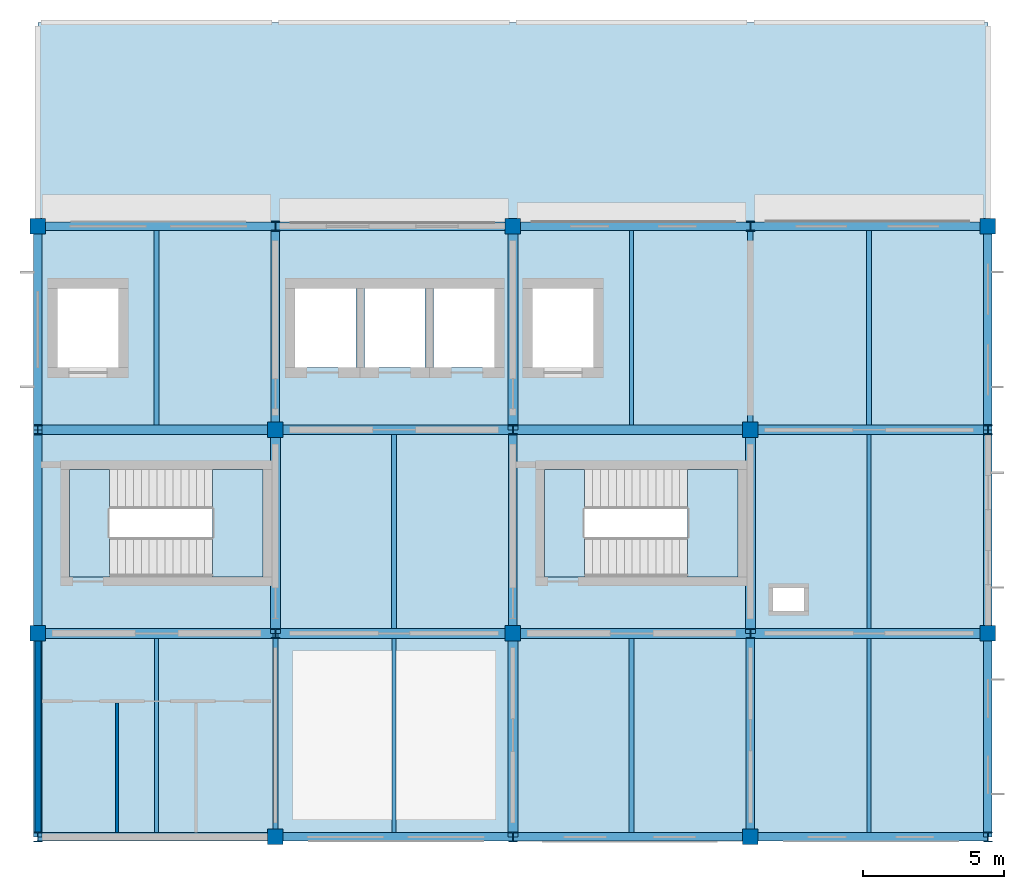
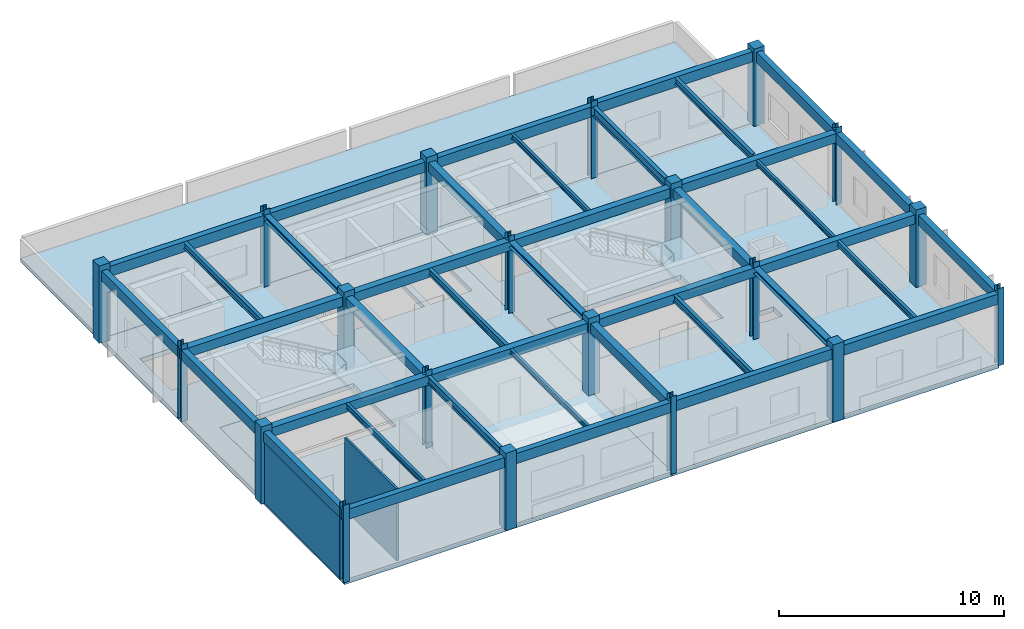
# One storey, part 1 of 5: 40 beams, 20 columns, 7 slabs, 2 walls, 2 elements without a shape of their own.
"""IFC4 building model written with IfcOpenShell, lengths in metres."""

from ifc_helpers import new_model, si_unit, derived_unit, direction, frame, frame_2d, origin, origin_2d, place, context, subcontext, project, spatial, polyline, rectangle, i_section, outline, extrude, material, layer, layer_set, material_profile, profile_set, type_object, element, aggregate, save


model = new_model("IFC4")

# Units and contexts
model_context = context("Model", 3, precision=1e-05, world=origin(), true_north=direction((0.0, 1.0)))
body_context = subcontext(model_context, "Body", "Model", "MODEL_VIEW")
ifc_project = project(units=[si_unit("LENGTHUNIT", "METRE"), si_unit("AREAUNIT", "SQUARE_METRE"), si_unit("VOLUMEUNIT", "CUBIC_METRE"), si_unit("PLANEANGLEUNIT", "RADIAN"), si_unit("MASSUNIT", "GRAM", prefix="KILO"), derived_unit("THERMALTRANSMITTANCEUNIT", [(si_unit("MASSUNIT", "GRAM", prefix="KILO"), 1), (si_unit("TIMEUNIT", "SECOND"), -3), (si_unit("THERMODYNAMICTEMPERATUREUNIT", "KELVIN"), -1)])], contexts=[model_context])

# Site, building, storey
site_placement = place(None, origin())
site = spatial("IfcSite", under=ifc_project, at=site_placement, CompositionType="ELEMENT")
building_placement = place(site_placement, origin())
building = spatial("IfcBuilding", under=site, at=building_placement, Name="Veldstrom Oceanarium and Marine Research Institute", CompositionType="ELEMENT")
storey_placement = place(building_placement, frame((0.0, 0.0, 64.800048828125)))
storey = spatial("IfcBuildingStorey", under=building, at=storey_placement, Name="L14", CompositionType="ELEMENT", Elevation=64.800048828125)

# Columns
ifc_material_1 = material(Name="Concrete C50/60", Category="concrete")
ifc_material_profile_1 = material_profile(ifc_material_1, rectangle(XDim=0.550048828125, YDim=0.550048828125, at=origin_2d()), Name="RC-COL-550x550")
ifc_profile_set_1 = profile_set([ifc_material_profile_1], Name="Concrete C50/60")
column_type_1 = type_object("IfcColumnType", Name="STR-COL-C09", PredefinedType="COLUMN", material=ifc_profile_set_1)
for number, where, z_axis, x_axis, name in (
    (1, (75.60009765625, 50.39990234375, 0.0), (0.0, 0.0, 1.0), (1.0, 0.0, 0.0), "Column C09 10/H L14"),
    (2, (75.60009765625, 64.800048828125, 0.0), (0.0, 0.0, 1.0), (1.0, 0.0, 0.0), "Column C09 10/K L14"),
    (3, (84.0, 43.199951171875, 0.0), (0.0, 0.0, 1.0), (1.0, 0.0, 0.0), "Column C09 11/G L14"),
    (4, (84.0, 57.60009765625, 0.0), (0.0, 0.0, 1.0), (1.0, 0.0, 0.0), "Column C09 11/J L14"),
    (5, (92.39990234375, 50.39990234375, 0.0), (0.0, 0.0, 1.0), (1.0, 0.0, 0.0), "Column C09 12/H L14"),
    (6, (92.39990234375, 64.800048828125, 0.0), (0.0, 0.0, 1.0), (1.0, 0.0, 0.0), "Column C09 12/K L14"),
    (7, (100.800048828125, 43.199951171875, 0.0), (0.0, 0.0, 1.0), (1.0, 0.0, 0.0), "Column C09 13/G L14"),
    (8, (100.800048828125, 57.60009765625, 0.0), (0.0, 0.0, 1.0), (1.0, 0.0, 0.0), "Column C09 13/J L14"),
    (9, (109.199951171875, 50.39990234375, 0.0), (0.0, 0.0, 1.0), (1.0, 0.0, 0.0), "Column C09 14/H L14"),
    (10, (109.199951171875, 64.800048828125, 0.0), (0.0, 0.0, 1.0), (1.0, 0.0, 0.0), "Column C09 14/K L14"),
):
    element("IfcColumn", number, at=place(storey_placement, frame(where, z_axis=z_axis, x_axis=x_axis)), inside=storey, type_object=column_type_1, Name=name, PredefinedType="COLUMN", context=body_context, shape_type="SweptSolid", body=[
        extrude(rectangle(XDim=0.550048828125, YDim=0.550048828125, at=origin_2d()), origin(), (0.0, 0.0, 1.0), 4.199951171875),
    ])
ifc_material_2 = material(Name="Steel S355JR", Category="steel")
ifc_material_profile_2 = material_profile(ifc_material_2, i_section(OverallWidth=0.300048828125, OverallDepth=0.340087890625, WebThickness=0.011962890625, FlangeThickness=0.021484375, FilletRadius=0.027099609375, at=origin_2d()), Name="HEB 340")
ifc_profile_set_2 = profile_set([ifc_material_profile_2], Name="Steel S355JR")
column_type_2 = type_object("IfcColumnType", Name="STR-COL-C17", PredefinedType="COLUMN", material=ifc_profile_set_2)
for number, where, z_axis, x_axis, name in (
    (11, (75.60009765625, 43.199951171875, 0.0), (0.0, 0.0, 1.0), (1.0, 0.0, 0.0), "Column C17 10/G L14"),
    (12, (75.60009765625, 57.60009765625, 0.0), (0.0, 0.0, 1.0), (1.0, 0.0, 0.0), "Column C17 10/J L14"),
    (13, (84.0, 50.39990234375, 0.0), (0.0, 0.0, 1.0), (1.0, 0.0, 0.0), "Column C17 11/H L14"),
    (14, (84.0, 64.800048828125, 0.0), (0.0, 0.0, 1.0), (1.0, 0.0, 0.0), "Column C17 11/K L14"),
    (15, (92.39990234375, 43.199951171875, 0.0), (0.0, 0.0, 1.0), (1.0, 0.0, 0.0), "Column C17 12/G L14"),
    (16, (92.39990234375, 57.60009765625, 0.0), (0.0, 0.0, 1.0), (1.0, 0.0, 0.0), "Column C17 12/J L14"),
    (17, (100.800048828125, 50.39990234375, 0.0), (0.0, 0.0, 1.0), (1.0, 0.0, 0.0), "Column C17 13/H L14"),
    (18, (100.800048828125, 64.800048828125, 0.0), (0.0, 0.0, 1.0), (1.0, 0.0, 0.0), "Column C17 13/K L14"),
    (19, (109.199951171875, 43.199951171875, 0.0), (0.0, 0.0, 1.0), (1.0, 0.0, 0.0), "Column C17 14/G L14"),
    (20, (109.199951171875, 57.60009765625, 0.0), (0.0, 0.0, 1.0), (1.0, 0.0, 0.0), "Column C17 14/J L14"),
):
    element("IfcColumn", number, at=place(storey_placement, frame(where, z_axis=z_axis, x_axis=x_axis)), inside=storey, type_object=column_type_2, Name=name, PredefinedType="COLUMN", context=body_context, shape_type="SweptSolid", body=[
        extrude(i_section(OverallWidth=0.300048828125, OverallDepth=0.340087890625, WebThickness=0.011962890625, FlangeThickness=0.021484375, FilletRadius=0.027099609375, at=origin_2d()), origin(), (0.0, 0.0, 1.0), 4.199951171875),
    ])

# Beams
ifc_material_3 = material(Name="Concrete C40/50", Category="concrete")
ifc_material_profile_3 = material_profile(ifc_material_3, rectangle(XDim=0.35009765625, YDim=0.5, at=origin_2d()), Name="RC-BM-350x500")
ifc_profile_set_3 = profile_set([ifc_material_profile_3], Name="Concrete C40/50")
beam_type_1 = type_object("IfcBeamType", Name="STR-BM-B08", PredefinedType="BEAM", material=ifc_profile_set_3)
for number, where, z_axis, x_axis, name in (
    (21, (75.60009765625, 50.39990234375, 3.64501953125), (1.0, 0.0, 0.0), (0.0, 1.0, 0.0), "Primary Beam B08 L14-2775"),
    (22, (75.60009765625, 57.60009765625, 3.64501953125), (1.0, 0.0, 0.0), (0.0, 1.0, 0.0), "Primary Beam B08 L14-2776"),
    (23, (84.0, 50.39990234375, 3.64501953125), (1.0, 0.0, 0.0), (0.0, 1.0, 0.0), "Primary Beam B08 L14-2779"),
    (24, (84.0, 57.60009765625, 3.64501953125), (1.0, 0.0, 0.0), (0.0, 1.0, 0.0), "Primary Beam B08 L14-2780"),
):
    element("IfcBeam", number, at=place(storey_placement, frame(where, z_axis=z_axis, x_axis=x_axis)), inside=storey, type_object=beam_type_1, Name=name, PredefinedType="BEAM", context=body_context, shape_type="SweptSolid", body=[
        extrude(rectangle(XDim=0.35009765625, YDim=0.5, at=origin_2d()), origin(), (0.0, 0.0, 1.0), 8.39990234375),
    ])
for number, where, z_axis, x_axis, name in (
    (25, (92.39990234375, 50.39990234375, 3.64501953125), (1.0, 0.0, 0.0), (0.0, 1.0, 0.0), "Primary Beam B08 L14-2783"),
    (26, (92.39990234375, 57.60009765625, 3.64501953125), (1.0, 0.0, 0.0), (0.0, 1.0, 0.0), "Primary Beam B08 L14-2784"),
):
    element("IfcBeam", number, at=place(storey_placement, frame(where, z_axis=z_axis, x_axis=x_axis)), inside=storey, type_object=beam_type_1, Name=name, PredefinedType="BEAM", context=body_context, shape_type="SweptSolid", body=[
        extrude(rectangle(XDim=0.35009765625, YDim=0.5, at=origin_2d()), origin(), (0.0, 0.0, 1.0), 8.400146484375),
    ])
for number, where, z_axis, x_axis, name in (
    (27, (100.800048828125, 50.39990234375, 3.64501953125), (1.0, 0.0, 0.0), (0.0, 1.0, 0.0), "Primary Beam B08 L14-2787"),
    (28, (100.800048828125, 57.60009765625, 3.64501953125), (1.0, 0.0, 0.0), (0.0, 1.0, 0.0), "Primary Beam B08 L14-2788"),
):
    element("IfcBeam", number, at=place(storey_placement, frame(where, z_axis=z_axis, x_axis=x_axis)), inside=storey, type_object=beam_type_1, Name=name, PredefinedType="BEAM", context=body_context, shape_type="SweptSolid", body=[
        extrude(rectangle(XDim=0.35009765625, YDim=0.5, at=origin_2d()), origin(), (0.0, 0.0, 1.0), 8.39990234375),
    ])
beam_1_placement = place(storey_placement, frame((84.0, 50.39990234375, 3.64501953125), z_axis=(0.0, 1.0, 0.0), x_axis=(-1.0, 0.0, 0.0)))
element("IfcBeam", 29, at=beam_1_placement, inside=storey, type_object=beam_type_1, Name="Primary Beam B08 L14-2794", PredefinedType="BEAM", context=body_context, shape_type="SweptSolid", body=[
    extrude(rectangle(XDim=0.35009765625, YDim=0.5, at=origin_2d()), origin(), (0.0, 0.0, 1.0), 7.2001953125),
])
for number, where, z_axis, x_axis, name in (
    (30, (92.39990234375, 43.199951171875, 3.64501953125), (0.0, 1.0, 0.0), (-1.0, 0.0, 0.0), "Primary Beam B08 L14-2796"),
    (31, (92.39990234375, 57.60009765625, 3.64501953125), (0.0, 1.0, 0.0), (-1.0, 0.0, 0.0), "Primary Beam B08 L14-2798"),
):
    element("IfcBeam", number, at=place(storey_placement, frame(where, z_axis=z_axis, x_axis=x_axis)), inside=storey, type_object=beam_type_1, Name=name, PredefinedType="BEAM", context=body_context, shape_type="SweptSolid", body=[
        extrude(rectangle(XDim=0.35009765625, YDim=0.5, at=origin_2d()), origin(), (0.0, 0.0, 1.0), 7.199951171875),
    ])
beam_2_placement = place(storey_placement, frame((100.800048828125, 50.39990234375, 3.64501953125), z_axis=(0.0, 1.0, 0.0), x_axis=(-1.0, 0.0, 0.0)))
element("IfcBeam", 32, at=beam_2_placement, inside=storey, type_object=beam_type_1, Name="Primary Beam B08 L14-2800", PredefinedType="BEAM", context=body_context, shape_type="SweptSolid", body=[
    extrude(rectangle(XDim=0.35009765625, YDim=0.5, at=origin_2d()), origin(), (0.0, 0.0, 1.0), 7.2001953125),
])
ifc_material_4 = material(Name="Steel S355JR", Category="steel")
ifc_material_profile_4 = material_profile(ifc_material_4, i_section(OverallWidth=0.300048828125, OverallDepth=0.2900390625, WebThickness=0.008544921875, FlangeThickness=0.013916015625, FilletRadius=0.027099609375, at=origin_2d()), Name="HEA 300")
ifc_profile_set_4 = profile_set([ifc_material_profile_4], Name="Steel S355JR")
beam_type_2 = type_object("IfcBeamType", Name="STR-BM-SB10", PredefinedType="BEAM", material=ifc_profile_set_4)
beam_3_placement = place(storey_placement, frame((84.0, 57.60009765625, 3.75), z_axis=(0.0, 1.0, 0.0), x_axis=(-1.0, 0.0, 0.0)))
element("IfcBeam", 33, at=beam_3_placement, inside=storey, type_object=beam_type_2, Name="Steel Tie Beam SB10 L14-2795", PredefinedType="BEAM", context=body_context, shape_type="SweptSolid", body=[
    extrude(i_section(OverallWidth=0.300048828125, OverallDepth=0.2900390625, WebThickness=0.008544921875, FlangeThickness=0.013916015625, FilletRadius=0.027099609375, at=origin_2d()), origin(), (0.0, 0.0, 1.0), 7.199951171875),
])
beam_4_placement = place(storey_placement, frame((92.39990234375, 50.39990234375, 3.75), z_axis=(0.0, 1.0, 0.0), x_axis=(-1.0, 0.0, 0.0)))
element("IfcBeam", 34, at=beam_4_placement, inside=storey, type_object=beam_type_2, Name="Steel Tie Beam SB10 L14-2797", PredefinedType="BEAM", context=body_context, shape_type="SweptSolid", body=[
    extrude(i_section(OverallWidth=0.300048828125, OverallDepth=0.2900390625, WebThickness=0.008544921875, FlangeThickness=0.013916015625, FilletRadius=0.027099609375, at=origin_2d()), origin(), (0.0, 0.0, 1.0), 7.2001953125),
])
beam_5_placement = place(storey_placement, frame((100.800048828125, 43.199951171875, 3.75), z_axis=(0.0, 1.0, 0.0), x_axis=(-1.0, 0.0, 0.0)))
element("IfcBeam", 35, at=beam_5_placement, inside=storey, type_object=beam_type_2, Name="Steel Tie Beam SB10 L14-2799", PredefinedType="BEAM", context=body_context, shape_type="SweptSolid", body=[
    extrude(i_section(OverallWidth=0.300048828125, OverallDepth=0.2900390625, WebThickness=0.008544921875, FlangeThickness=0.013916015625, FilletRadius=0.027099609375, at=origin_2d()), origin(), (0.0, 0.0, 1.0), 7.199951171875),
])
ifc_material_5 = material(Name="Steel S355JR", Category="steel")
ifc_material_profile_5 = material_profile(ifc_material_5, i_section(OverallWidth=0.199951171875, OverallDepth=0.5, WebThickness=0.01025390625, FlangeThickness=0.01611328125, FilletRadius=0.02099609375, at=origin_2d()), Name="IPE 500")
ifc_profile_set_5 = profile_set([ifc_material_profile_5], Name="Steel S355JR")
beam_type_3 = type_object("IfcBeamType", Name="STR-BM-SB6", PredefinedType="BEAM", material=ifc_profile_set_5)
beam_6_placement = place(storey_placement, frame((100.800048828125, 57.60009765625, 3.64501953125), z_axis=(0.0, 1.0, 0.0), x_axis=(-1.0, 0.0, 0.0)))
element("IfcBeam", 36, at=beam_6_placement, inside=storey, type_object=beam_type_3, Name="Steel Tie Beam SB6 L14-2801", PredefinedType="BEAM", context=body_context, shape_type="SweptSolid", body=[
    extrude(i_section(OverallWidth=0.199951171875, OverallDepth=0.5, WebThickness=0.01025390625, FlangeThickness=0.01611328125, FilletRadius=0.02099609375, at=origin_2d()), origin(), (0.0, 0.0, 1.0), 7.199951171875),
])
ifc_material_6 = material(Name="Steel S355JR", Category="steel")
ifc_material_profile_6 = material_profile(ifc_material_6, i_section(OverallWidth=0.179931640625, OverallDepth=0.39990234375, WebThickness=0.008544921875, FlangeThickness=0.013427734375, FilletRadius=0.02099609375, at=origin_2d()), Name="IPE 400")
ifc_profile_set_6 = profile_set([ifc_material_profile_6], Name="Steel S355JR")
beam_type_4 = type_object("IfcBeamType", Name="STR-BM-SB8", PredefinedType="BEAM", material=ifc_profile_set_6)
beam_7_placement = place(storey_placement, frame((84.0, 43.199951171875, 3.695068359375), z_axis=(0.0, 1.0, 0.0), x_axis=(-1.0, 0.0, 0.0)))
element("IfcBeam", 37, at=beam_7_placement, inside=storey, type_object=beam_type_4, Name="Steel Tie Beam SB8 L14-2793", PredefinedType="BEAM", context=body_context, shape_type="SweptSolid", body=[
    extrude(i_section(OverallWidth=0.179931640625, OverallDepth=0.39990234375, WebThickness=0.008544921875, FlangeThickness=0.013427734375, FilletRadius=0.02099609375, at=origin_2d()), origin(), (0.0, 0.0, 1.0), 7.199951171875),
])
ifc_material_7 = material(Name="Steel S355JR", Category="steel")
ifc_material_profile_7 = material_profile(ifc_material_7, i_section(OverallWidth=0.169921875, OverallDepth=0.360107421875, WebThickness=0.008056640625, FlangeThickness=0.0126953125, FilletRadius=0.01806640625, at=origin_2d()), Name="IPE 360")
ifc_profile_set_7 = profile_set([ifc_material_profile_7], Name="Steel S355JR")
beam_type_5 = type_object("IfcBeamType", Name="STR-JST-SJ1", PredefinedType="JOIST", material=ifc_profile_set_7)
beam_8_placement = place(storey_placement, frame((79.800048828125, 57.77490234375, 3.71484375), z_axis=(0.0, 1.0, 0.0), x_axis=(-1.0, 0.0, 0.0)))
element("IfcBeam", 38, at=beam_8_placement, inside=storey, type_object=beam_type_5, Name="Secondary Joist SJ1 L14-2806", PredefinedType="JOIST", context=body_context, shape_type="SweptSolid", body=[
    extrude(i_section(OverallWidth=0.169921875, OverallDepth=0.360107421875, WebThickness=0.008056640625, FlangeThickness=0.0126953125, FilletRadius=0.01806640625, at=origin_2d()), origin(), (0.0, 0.0, 1.0), 6.875),
])
beam_9_placement = place(storey_placement, frame((88.199951171875, 50.574951171875, 3.71484375), z_axis=(0.0, 1.0, 0.0), x_axis=(-1.0, 0.0, 0.0)))
element("IfcBeam", 39, at=beam_9_placement, inside=storey, type_object=beam_type_5, Name="Secondary Joist SJ1 L14-2808", PredefinedType="JOIST", context=body_context, shape_type="SweptSolid", body=[
    extrude(i_section(OverallWidth=0.169921875, OverallDepth=0.360107421875, WebThickness=0.008056640625, FlangeThickness=0.0126953125, FilletRadius=0.01806640625, at=origin_2d()), origin(), (0.0, 0.0, 1.0), 6.85009765625),
])
for number, where, z_axis, x_axis, name in (
    (40, (96.60009765625, 43.35009765625, 3.71484375), (0.0, 1.0, 0.0), (-1.0, 0.0, 0.0), "Secondary Joist SJ1 L14-2809"),
    (41, (105.0, 57.77490234375, 3.81494140625), (0.0, 1.0, 0.0), (-1.0, 0.0, 0.0), "Secondary Joist SJ1 L14-2813"),
):
    element("IfcBeam", number, at=place(storey_placement, frame(where, z_axis=z_axis, x_axis=x_axis)), inside=storey, type_object=beam_type_5, Name=name, PredefinedType="JOIST", context=body_context, shape_type="SweptSolid", body=[
        extrude(i_section(OverallWidth=0.169921875, OverallDepth=0.360107421875, WebThickness=0.008056640625, FlangeThickness=0.0126953125, FilletRadius=0.01806640625, at=origin_2d()), origin(), (0.0, 0.0, 1.0), 6.875),
    ])
ifc_material_8 = material(Name="Steel S355JR", Category="steel")
ifc_material_profile_8 = material_profile(ifc_material_8, i_section(OverallWidth=0.14990234375, OverallDepth=0.300048828125, WebThickness=0.007080078125, FlangeThickness=0.0107421875, FilletRadius=0.014892578125, at=origin_2d()), Name="IPE 300")
ifc_profile_set_8 = profile_set([ifc_material_profile_8], Name="Steel S355JR")
beam_type_6 = type_object("IfcBeamType", Name="STR-JST-SJ2", PredefinedType="JOIST", material=ifc_profile_set_8)
for number, where, z_axis, x_axis, name in (
    (42, (79.800048828125, 43.35009765625, 3.744873046875), (0.0, 1.0, 0.0), (-1.0, 0.0, 0.0), "Secondary Joist SJ2 L14-2805"),
    (43, (105.0, 43.35009765625, 3.744873046875), (0.0, 1.0, 0.0), (-1.0, 0.0, 0.0), "Secondary Joist SJ2 L14-2811"),
):
    element("IfcBeam", number, at=place(storey_placement, frame(where, z_axis=z_axis, x_axis=x_axis)), inside=storey, type_object=beam_type_6, Name=name, PredefinedType="JOIST", context=body_context, shape_type="SweptSolid", body=[
        extrude(i_section(OverallWidth=0.14990234375, OverallDepth=0.300048828125, WebThickness=0.007080078125, FlangeThickness=0.0107421875, FilletRadius=0.014892578125, at=origin_2d()), origin(), (0.0, 0.0, 1.0), 6.875),
    ])
ifc_material_9 = material(Name="Steel S355JR", Category="steel")
ifc_material_profile_9 = material_profile(ifc_material_9, i_section(OverallWidth=0.135009765625, OverallDepth=0.27001953125, WebThickness=0.006591796875, FlangeThickness=0.01025390625, FilletRadius=0.014892578125, at=origin_2d()), Name="IPE 270")
ifc_profile_set_9 = profile_set([ifc_material_profile_9], Name="Steel S355JR")
beam_type_7 = type_object("IfcBeamType", Name="STR-JST-SJ3", PredefinedType="JOIST", material=ifc_profile_set_9)
for number, where, z_axis, x_axis, name in (
    (44, (88.199951171875, 43.35009765625, 3.760009765625), (0.0, 1.0, 0.0), (-1.0, 0.0, 0.0), "Secondary Joist SJ3 L14-2807"),
    (45, (96.60009765625, 57.77490234375, 3.760009765625), (0.0, 1.0, 0.0), (-1.0, 0.0, 0.0), "Secondary Joist SJ3 L14-2810"),
):
    element("IfcBeam", number, at=place(storey_placement, frame(where, z_axis=z_axis, x_axis=x_axis)), inside=storey, type_object=beam_type_7, Name=name, PredefinedType="JOIST", context=body_context, shape_type="SweptSolid", body=[
        extrude(i_section(OverallWidth=0.135009765625, OverallDepth=0.27001953125, WebThickness=0.006591796875, FlangeThickness=0.01025390625, FilletRadius=0.014892578125, at=origin_2d()), origin(), (0.0, 0.0, 1.0), 6.875),
    ])
beam_10_placement = place(storey_placement, frame((105.0, 50.574951171875, 3.760009765625), z_axis=(0.0, 1.0, 0.0), x_axis=(-1.0, 0.0, 0.0)))
element("IfcBeam", 46, at=beam_10_placement, inside=storey, type_object=beam_type_7, Name="Secondary Joist SJ3 L14-2812", PredefinedType="JOIST", context=body_context, shape_type="SweptSolid", body=[
    extrude(i_section(OverallWidth=0.135009765625, OverallDepth=0.27001953125, WebThickness=0.006591796875, FlangeThickness=0.01025390625, FilletRadius=0.014892578125, at=origin_2d()), origin(), (0.0, 0.0, 1.0), 6.85009765625),
])
ifc_material_10 = material(Name="Concrete C40/50", Category="concrete")
ifc_material_profile_10 = material_profile(ifc_material_10, rectangle(XDim=0.300048828125, YDim=0.550048828125, at=origin_2d()), Name="RC-SPN-300x550")
ifc_profile_set_10 = profile_set([ifc_material_profile_10], Name="Concrete C40/50")
beam_type_8 = type_object("IfcBeamType", Name="STR-SPN-SP2", PredefinedType="SPANDREL", material=ifc_profile_set_10)
for number, where, z_axis, x_axis, name in (
    (47, (75.60009765625, 43.199951171875, 3.619873046875), (1.0, 0.0, 0.0), (0.0, 1.0, 0.0), "Perimeter Spandrel SPB2 L14-2774"),
    (48, (75.60009765625, 64.800048828125, 3.619873046875), (1.0, 0.0, 0.0), (0.0, 1.0, 0.0), "Perimeter Spandrel SPB2 L14-2777"),
    (49, (84.0, 43.199951171875, 3.619873046875), (1.0, 0.0, 0.0), (0.0, 1.0, 0.0), "Perimeter Spandrel SPB2 L14-2778"),
    (50, (84.0, 64.800048828125, 3.619873046875), (1.0, 0.0, 0.0), (0.0, 1.0, 0.0), "Perimeter Spandrel SPB2 L14-2781"),
):
    element("IfcBeam", number, at=place(storey_placement, frame(where, z_axis=z_axis, x_axis=x_axis)), inside=storey, type_object=beam_type_8, Name=name, PredefinedType="SPANDREL", context=body_context, shape_type="SweptSolid", body=[
        extrude(rectangle(XDim=0.300048828125, YDim=0.550048828125, at=origin_2d()), origin(), (0.0, 0.0, 1.0), 8.39990234375),
    ])
for number, where, z_axis, x_axis, name in (
    (51, (92.39990234375, 43.199951171875, 3.619873046875), (1.0, 0.0, 0.0), (0.0, 1.0, 0.0), "Perimeter Spandrel SPB2 L14-2782"),
    (52, (92.39990234375, 64.800048828125, 3.619873046875), (1.0, 0.0, 0.0), (0.0, 1.0, 0.0), "Perimeter Spandrel SPB2 L14-2785"),
):
    element("IfcBeam", number, at=place(storey_placement, frame(where, z_axis=z_axis, x_axis=x_axis)), inside=storey, type_object=beam_type_8, Name=name, PredefinedType="SPANDREL", context=body_context, shape_type="SweptSolid", body=[
        extrude(rectangle(XDim=0.300048828125, YDim=0.550048828125, at=origin_2d()), origin(), (0.0, 0.0, 1.0), 8.400146484375),
    ])
for number, where, z_axis, x_axis, name in (
    (53, (100.800048828125, 43.199951171875, 3.619873046875), (1.0, 0.0, 0.0), (0.0, 1.0, 0.0), "Perimeter Spandrel SPB2 L14-2786"),
    (54, (100.800048828125, 64.800048828125, 3.719970703125), (1.0, 0.0, 0.0), (0.0, 1.0, 0.0), "Perimeter Spandrel SPB2 L14-2789"),
):
    element("IfcBeam", number, at=place(storey_placement, frame(where, z_axis=z_axis, x_axis=x_axis)), inside=storey, type_object=beam_type_8, Name=name, PredefinedType="SPANDREL", context=body_context, shape_type="SweptSolid", body=[
        extrude(rectangle(XDim=0.300048828125, YDim=0.550048828125, at=origin_2d()), origin(), (0.0, 0.0, 1.0), 8.39990234375),
    ])
beam_11_placement = place(storey_placement, frame((75.60009765625, 43.199951171875, 3.619873046875), z_axis=(0.0, 1.0, 0.0), x_axis=(-1.0, 0.0, 0.0)))
element("IfcBeam", 55, at=beam_11_placement, inside=storey, type_object=beam_type_8, Name="Perimeter Spandrel SPB2 L14-2790", PredefinedType="SPANDREL", context=body_context, shape_type="SweptSolid", body=[
    extrude(rectangle(XDim=0.300048828125, YDim=0.550048828125, at=origin_2d()), origin(), (0.0, 0.0, 1.0), 7.199951171875),
])
beam_12_placement = place(storey_placement, frame((75.60009765625, 50.39990234375, 3.619873046875), z_axis=(0.0, 1.0, 0.0), x_axis=(-1.0, 0.0, 0.0)))
element("IfcBeam", 56, at=beam_12_placement, inside=storey, type_object=beam_type_8, Name="Perimeter Spandrel SPB2 L14-2791", PredefinedType="SPANDREL", context=body_context, shape_type="SweptSolid", body=[
    extrude(rectangle(XDim=0.300048828125, YDim=0.550048828125, at=origin_2d()), origin(), (0.0, 0.0, 1.0), 7.2001953125),
])
for number, where, z_axis, x_axis, name in (
    (57, (75.60009765625, 57.60009765625, 3.619873046875), (0.0, 1.0, 0.0), (-1.0, 0.0, 0.0), "Perimeter Spandrel SPB2 L14-2792"),
    (58, (109.199951171875, 43.199951171875, 3.619873046875), (0.0, 1.0, 0.0), (-1.0, 0.0, 0.0), "Perimeter Spandrel SPB2 L14-2802"),
):
    element("IfcBeam", number, at=place(storey_placement, frame(where, z_axis=z_axis, x_axis=x_axis)), inside=storey, type_object=beam_type_8, Name=name, PredefinedType="SPANDREL", context=body_context, shape_type="SweptSolid", body=[
        extrude(rectangle(XDim=0.300048828125, YDim=0.550048828125, at=origin_2d()), origin(), (0.0, 0.0, 1.0), 7.199951171875),
    ])
beam_13_placement = place(storey_placement, frame((109.199951171875, 50.39990234375, 3.619873046875), z_axis=(0.0, 1.0, 0.0), x_axis=(-1.0, 0.0, 0.0)))
element("IfcBeam", 59, at=beam_13_placement, inside=storey, type_object=beam_type_8, Name="Perimeter Spandrel SPB2 L14-2803", PredefinedType="SPANDREL", context=body_context, shape_type="SweptSolid", body=[
    extrude(rectangle(XDim=0.300048828125, YDim=0.550048828125, at=origin_2d()), origin(), (0.0, 0.0, 1.0), 7.2001953125),
])
beam_14_placement = place(storey_placement, frame((109.199951171875, 57.60009765625, 3.719970703125), z_axis=(0.0, 1.0, 0.0), x_axis=(-1.0, 0.0, 0.0)))
element("IfcBeam", 60, at=beam_14_placement, inside=storey, type_object=beam_type_8, Name="Perimeter Spandrel SPB2 L14-2804", PredefinedType="SPANDREL", context=body_context, shape_type="SweptSolid", body=[
    extrude(rectangle(XDim=0.300048828125, YDim=0.550048828125, at=origin_2d()), origin(), (0.0, 0.0, 1.0), 7.199951171875),
])

# Slabs
ifc_material_11 = material(Name="Concrete C40/50", Category="concrete")
ifc_layer_1 = layer(ifc_material_11, 0.25)
ifc_layer_set_1 = layer_set([ifc_layer_1], Name="STR-SLB-FL0250")
slab_type_1 = type_object("IfcSlabType", Name="STR-SLB-FL0250", PredefinedType="FLOOR", material=ifc_layer_set_1)
slab_1_placement = place(storey_placement, frame((0.0, 0.0, -0.25)))
element("IfcSlab", 61, at=slab_1_placement, inside=storey, type_object=slab_type_1, Name="Slab SF-250 L14 CW", PredefinedType="FLOOR", context=body_context, shape_type="SweptSolid", body=[
    extrude(outline(polyline([(92.39990234375, 43.199951171875), (84.0, 43.199951171875), (75.60009765625, 43.199951171875), (75.60009765625, 50.39990234375), (75.60009765625, 57.60009765625), (75.60009765625, 64.800048828125), (84.0, 64.800048828125), (92.39990234375, 64.800048828125), (92.39990234375, 57.60009765625), (92.39990234375, 50.39990234375), (92.39990234375, 43.199951171875)]), holes=[polyline([(76.719970703125, 52.39990234375), (83.56005859375, 52.39990234375), (83.56005859375, 56.199951171875), (76.719970703125, 56.199951171875), (76.719970703125, 52.39990234375)]), polyline([(78.449951171875, 62.60009765625), (76.300048828125, 62.60009765625), (76.300048828125, 59.800048828125), (78.449951171875, 59.800048828125), (78.449951171875, 62.60009765625)]), polyline([(84.699951171875, 59.800048828125), (86.85009765625, 59.800048828125), (86.85009765625, 62.60009765625), (84.699951171875, 62.60009765625), (84.699951171875, 59.800048828125)]), polyline([(87.14990234375, 62.60009765625), (87.14990234375, 59.800048828125), (89.300048828125, 59.800048828125), (89.300048828125, 62.60009765625), (87.14990234375, 62.60009765625)]), polyline([(91.75, 62.60009765625), (89.60009765625, 62.60009765625), (89.60009765625, 59.800048828125), (91.75, 59.800048828125), (91.75, 62.60009765625)])]), origin(), (0.0, 0.0, 1.0), 0.25),
])
slab_2_placement = place(storey_placement, frame((0.0, 0.0, -0.25)))
element("IfcSlab", 62, at=slab_2_placement, inside=storey, type_object=slab_type_1, Name="Slab SF-250 L14 CE", PredefinedType="FLOOR", context=body_context, shape_type="SweptSolid", body=[
    extrude(outline(polyline([(100.800048828125, 43.199951171875), (92.39990234375, 43.199951171875), (92.39990234375, 50.39990234375), (92.39990234375, 57.60009765625), (92.39990234375, 64.800048828125), (100.800048828125, 64.800048828125), (109.199951171875, 64.800048828125), (109.199951171875, 57.60009765625), (109.199951171875, 50.39990234375), (109.199951171875, 43.199951171875), (100.800048828125, 43.199951171875)]), holes=[polyline([(93.52001953125, 52.39990234375), (100.360107421875, 52.39990234375), (100.360107421875, 56.199951171875), (93.52001953125, 56.199951171875), (93.52001953125, 52.39990234375)]), polyline([(95.25, 62.60009765625), (93.10009765625, 62.60009765625), (93.10009765625, 59.800048828125), (95.25, 59.800048828125), (95.25, 62.60009765625)]), polyline([(102.699951171875, 52.0), (101.60009765625, 52.0), (101.60009765625, 51.199951171875), (102.699951171875, 51.199951171875), (102.699951171875, 52.0)])]), origin(), (0.0, 0.0, 1.0), 0.25),
])

# Stair, slab
ifc_material_12 = material(Name="Concrete C40/50", Category="concrete")
stair_type = type_object("IfcStairType", Name="ARC-STR-ST-420", PredefinedType="TWO_STRAIGHT_RUN_STAIR", material=ifc_material_12)
stair_1_placement = place(storey_placement, origin())
stair_1 = element("IfcStair", 63, at=stair_1_placement, inside=storey, type_object=stair_type, Name="Dog-Leg Escape Stair ST1-L14", PredefinedType="TWO_STRAIGHT_RUN_STAIR")
ifc_material_13 = material(Name="Concrete C40/50", Category="concrete")
ifc_layer_2 = layer(ifc_material_13, 0.179931640625)
ifc_layer_set_2 = layer_set([ifc_layer_2], Name="STR-SLB-LD180")
slab_type_2 = type_object("IfcSlabType", Name="STR-SLB-LD180", PredefinedType="LANDING", material=ifc_layer_set_2)
slab_3_placement = place(storey_placement, frame((0.0, 0.0, 1.919921875)))
slab_3 = element("IfcSlab", 64, at=slab_3_placement, type_object=slab_type_2, Name="Stair Half-Landing ST1 L14", PredefinedType="LANDING", context=body_context, shape_type="SweptSolid", body=[
    extrude(outline(polyline([(81.780029296875, 52.39990234375), (83.56005859375, 52.39990234375), (83.56005859375, 56.199951171875), (81.780029296875, 56.199951171875), (81.780029296875, 52.39990234375)])), origin(), (0.0, 0.0, 1.0), 0.179931640625),
])
aggregate(stair_1, [slab_3])

stair_2_placement = place(storey_placement, origin())
stair_2 = element("IfcStair", 65, at=stair_2_placement, inside=storey, type_object=stair_type, Name="Dog-Leg Escape Stair ST2-L14", PredefinedType="TWO_STRAIGHT_RUN_STAIR")
slab_4_placement = place(storey_placement, frame((0.0, 0.0, 1.919921875)))
slab_4 = element("IfcSlab", 66, at=slab_4_placement, type_object=slab_type_2, Name="Stair Half-Landing ST2 L14", PredefinedType="LANDING", context=body_context, shape_type="SweptSolid", body=[
    extrude(outline(polyline([(98.580078125, 52.39990234375), (100.360107421875, 52.39990234375), (100.360107421875, 56.199951171875), (98.580078125, 56.199951171875), (98.580078125, 52.39990234375)])), origin(), (0.0, 0.0, 1.0), 0.179931640625),
])
aggregate(stair_2, [slab_4])

# Slabs
ifc_material_14 = material(Name="Concrete C40/50", Category="concrete")
ifc_layer_3 = layer(ifc_material_14, 0.199951171875)
ifc_layer_set_3 = layer_set([ifc_layer_3], Name="STR-SLB-LD200")
slab_type_3 = type_object("IfcSlabType", Name="STR-SLB-LD200", PredefinedType="LANDING", material=ifc_layer_set_3)
slab_5_placement = place(storey_placement, frame((0.0, 0.0, -0.199951171875)))
element("IfcSlab", 67, at=slab_5_placement, inside=storey, type_object=slab_type_3, Name="Stair Floor Landing ST1 L14", PredefinedType="LANDING", context=body_context, shape_type="SweptSolid", body=[
    extrude(outline(polyline([(76.719970703125, 52.39990234375), (78.139892578125, 52.39990234375), (78.139892578125, 56.199951171875), (76.719970703125, 56.199951171875), (76.719970703125, 52.39990234375)])), origin(), (0.0, 0.0, 1.0), 0.199951171875),
])
slab_6_placement = place(storey_placement, frame((0.0, 0.0, -0.199951171875)))
element("IfcSlab", 68, at=slab_6_placement, inside=storey, type_object=slab_type_3, Name="Stair Floor Landing ST2 L14", PredefinedType="LANDING", context=body_context, shape_type="SweptSolid", body=[
    extrude(outline(polyline([(93.52001953125, 52.39990234375), (94.93994140625, 52.39990234375), (94.93994140625, 56.199951171875), (93.52001953125, 56.199951171875), (93.52001953125, 52.39990234375)])), origin(), (0.0, 0.0, 1.0), 0.199951171875),
])
ifc_material_15 = material(Name="Concrete C40/50", Category="concrete")
ifc_layer_4 = layer(ifc_material_15, 0.199951171875)
ifc_layer_set_4 = layer_set([ifc_layer_4], Name="STR-SLB-RF0200")
slab_type_4 = type_object("IfcSlabType", Name="STR-SLB-RF0200", PredefinedType="ROOF", material=ifc_layer_set_4)
slab_7_placement = place(storey_placement, frame((0.0, 0.0, -0.199951171875)))
element("IfcSlab", 69, at=slab_7_placement, inside=storey, type_object=slab_type_4, Name="Maintenance Roof Slab L13", PredefinedType="ROOF", context=body_context, shape_type="SweptSolid", body=[
    extrude(outline(polyline([(75.60009765625, 72.0), (84.0, 72.0), (92.39990234375, 72.0), (100.800048828125, 72.0), (109.199951171875, 72.0), (109.199951171875, 64.800048828125), (100.800048828125, 64.800048828125), (92.39990234375, 64.800048828125), (84.0, 64.800048828125), (75.60009765625, 64.800048828125), (75.60009765625, 72.0)])), origin(), (0.0, 0.0, 1.0), 0.199951171875),
])

# Walls
ifc_material_16 = material(Name="Masonry Cavity Wall", Category="masonry")
ifc_layer_5 = layer(ifc_material_16, 0.215087890625)
ifc_layer_set_5 = layer_set([ifc_layer_5], Name="ARC-WAL-EW6")
wall_type_1 = type_object("IfcWallType", Name="ARC-WAL-EW6", PredefinedType="SOLIDWALL", material=ifc_layer_set_5)
wall_1_placement = place(storey_placement, frame((75.60009765625, 43.3701171875, 0.0), z_axis=(0.0, 0.0, 1.0), x_axis=(0.0, 1.0, 0.0)))
element("IfcWall", 70, at=wall_1_placement, inside=storey, type_object=wall_type_1, Name="Exterior Facade Wall EW6 L14-268", PredefinedType="SOLIDWALL", context=body_context, shape_type="SweptSolid", body=[
    extrude(rectangle(XDim=6.7548828125, YDim=0.215087890625, at=frame_2d((3.37744140625, 0.0))), origin(), (0.0, 0.0, 1.0), 3.344970703125),
])
ifc_material_17 = material(Name="Sanitary Cubicle Partition", Category="gypsum")
ifc_layer_6 = layer(ifc_material_17, 0.10009765625)
ifc_layer_set_6 = layer_set([ifc_layer_6], Name="ARC-WAL-PT7")
wall_type_2 = type_object("IfcWallType", Name="ARC-WAL-PT7", PredefinedType="PARTITIONING", material=ifc_layer_set_6)
wall_2_placement = place(storey_placement, frame((78.39990234375, 43.35009765625, 0.0), z_axis=(0.0, 0.0, 1.0), x_axis=(0.0, 1.0, 0.0)))
element("IfcWall", 71, at=wall_2_placement, inside=storey, type_object=wall_type_2, Name="Sanitary Stall Divider Wall L14-1766", PredefinedType="PARTITIONING", context=body_context, shape_type="SweptSolid", body=[
    extrude(rectangle(XDim=4.58984375, YDim=0.10009765625, at=frame_2d((2.294921875, 0.0))), origin(), (0.0, 0.0, 1.0), 3.89990234375),
])

save(model, "model.ifc")
